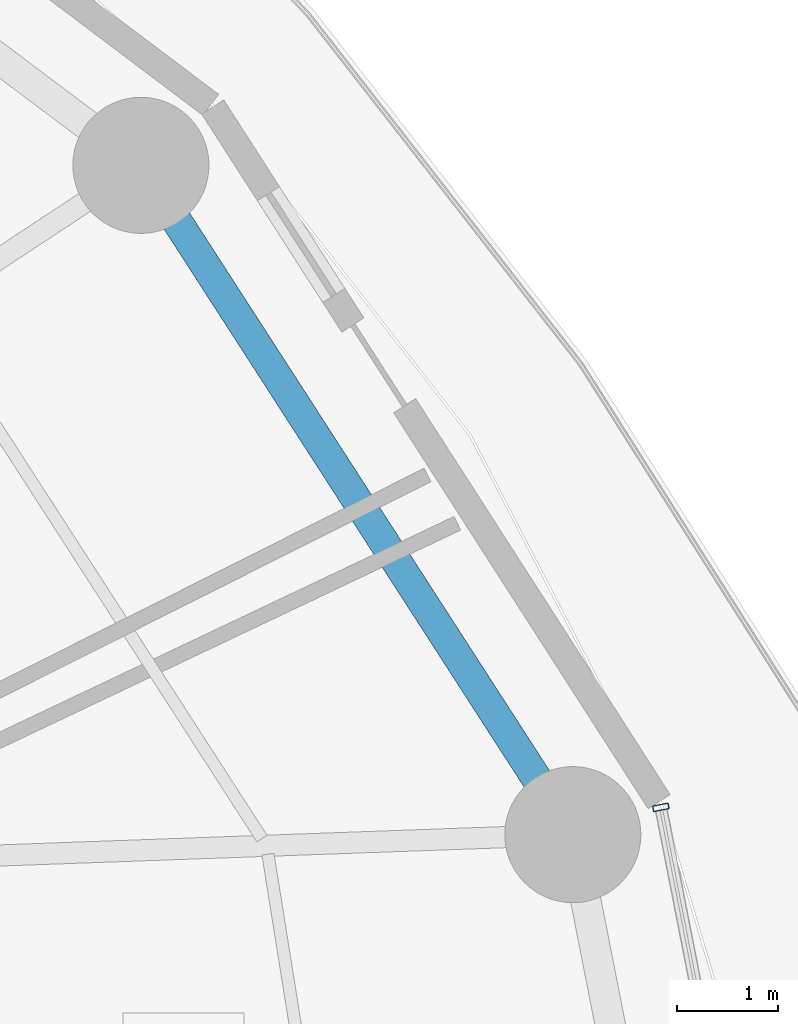
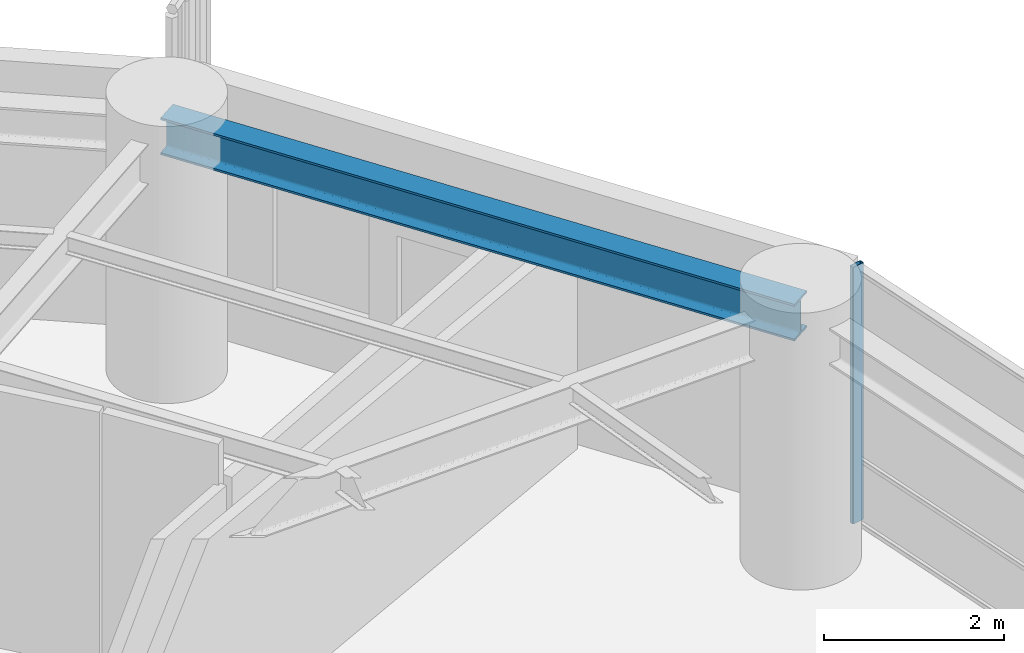
# One storey, part 27 of 38: 1 beam, 1 member, 1 element without a shape of its own.
"""IFC4 building model written with IfcOpenShell, lengths in metres."""

from ifc_helpers import new_model, si_unit, direction, frame, origin, origin_2d, place, context, subcontext, project, spatial, hollow_rectangle, i_section, extrude, material, layer, layer_set, material_profile, profile_set, type_object, element, aggregate, save


model = new_model("IFC4")

# Units and contexts
model_context = context("Model", 3, precision=1e-05, world=origin(), true_north=direction((0.0, 1.0)))
body_context = subcontext(model_context, "Body", "Model", "MODEL_VIEW")
ifc_project = project(units=[si_unit("LENGTHUNIT", "METRE"), si_unit("AREAUNIT", "SQUARE_METRE"), si_unit("VOLUMEUNIT", "CUBIC_METRE"), si_unit("PLANEANGLEUNIT", "RADIAN"), si_unit("MASSUNIT", "GRAM", prefix="KILO")], contexts=[model_context])

# Site, building, storey
site_placement = place(None, origin())
site = spatial("IfcSite", under=ifc_project, at=site_placement, CompositionType="ELEMENT")
building_placement = place(site_placement, origin())
building = spatial("IfcBuilding", under=site, at=building_placement, Name="Kelanora Arch Commons", CompositionType="ELEMENT")
storey_placement = place(building_placement, frame((0.0, 0.0, 106.35009765625)))
storey = spatial("IfcBuildingStorey", under=building, at=storey_placement, Name="L27", CompositionType="ELEMENT", Elevation=106.35009765625)

# Beam
ifc_material_1 = material(Name="Steel S355", Category="steel")
ifc_material_profile_1 = material_profile(ifc_material_1, i_section(OverallWidth=0.300048828125, OverallDepth=0.5, WebThickness=0.014404296875, FlangeThickness=0.028076171875, FilletRadius=0.027099609375, at=origin_2d()), Name="HEB500")
ifc_profile_set_1 = profile_set([ifc_material_profile_1], Name="Steel S355")
beam_type = type_object("IfcBeamType", Name="BM-SPN-Z2", PredefinedType="SPANDREL", material=ifc_profile_set_1)
beam_placement = place(storey_placement, frame((97.191650390625, 65.5517578125, 3.239990234375), z_axis=(-0.542221144054, 0.840235818649, 0.0), x_axis=(-0.840235818649, -0.542221144054, 0.0)))
element("IfcBeam", 1, at=beam_placement, inside=storey, type_object=beam_type, Name="Perimeter Spandrel Beam BS-02 L27", PredefinedType="SPANDREL", context=body_context, shape_type="SweptSolid", body=[
    extrude(i_section(OverallWidth=0.300048828125, OverallDepth=0.5, WebThickness=0.014404296875, FlangeThickness=0.028076171875, FilletRadius=0.027099609375, at=origin_2d()), origin(), (0.0, 0.0, 1.0), 7.90380859375),
])

# Curtain wall, member
ifc_material_2 = material(Name="Terracotta ceramic-fritted low-E glass and aluminium", Category="masonry")
ifc_layer = layer(ifc_material_2, 0.159912109375)
ifc_layer_set = layer_set([ifc_layer], Name="Terracotta ceramic-fritted low-E glass and aluminium")
curtain_wall_type = type_object("IfcCurtainWallType", Name="CW-SYS-01", PredefinedType="NOTDEFINED", material=ifc_layer_set)
curtain_wall_placement = place(storey_placement, origin())
curtain_wall = element("IfcCurtainWall", 2, at=curtain_wall_placement, inside=storey, type_object=curtain_wall_type, Name="Unitised Curtain Wall L27-B00", PredefinedType="NOTDEFINED")
ifc_material_3 = material(Name="Powder-coated aluminium terracotta", Category="masonry")
ifc_material_profile_2 = material_profile(ifc_material_3, hollow_rectangle(XDim=0.159912109375, YDim=0.06005859375, WallThickness=0.0048828125, InnerFilletRadius=0.0048828125, OuterFilletRadius=0.010009765625, at=origin_2d()), Name="CWM160x60")
ifc_profile_set_2 = profile_set([ifc_material_profile_2], Name="Powder-coated aluminium terracotta")
member_type = type_object("IfcMemberType", Name="CWM-STD", PredefinedType="MULLION", material=ifc_profile_set_2)
member_placement = place(storey_placement, frame((98.064697265625, 65.822265625, 0.0), z_axis=(0.0, 0.0, 1.0), x_axis=(-0.981280311646, -0.192584916272, 0.0)))
member = element("IfcMember", 3, at=member_placement, type_object=member_type, Name="CW-01 mullion 3", PredefinedType="MULLION", context=body_context, shape_type="SweptSolid", body=[
    extrude(hollow_rectangle(XDim=0.159912109375, YDim=0.06005859375, WallThickness=0.0048828125, InnerFilletRadius=0.0048828125, OuterFilletRadius=0.010009765625, at=origin_2d()), origin(), (0.0, 0.0, 1.0), 3.474853515625),
])
aggregate(curtain_wall, [member])

save(model, "model.ifc")
